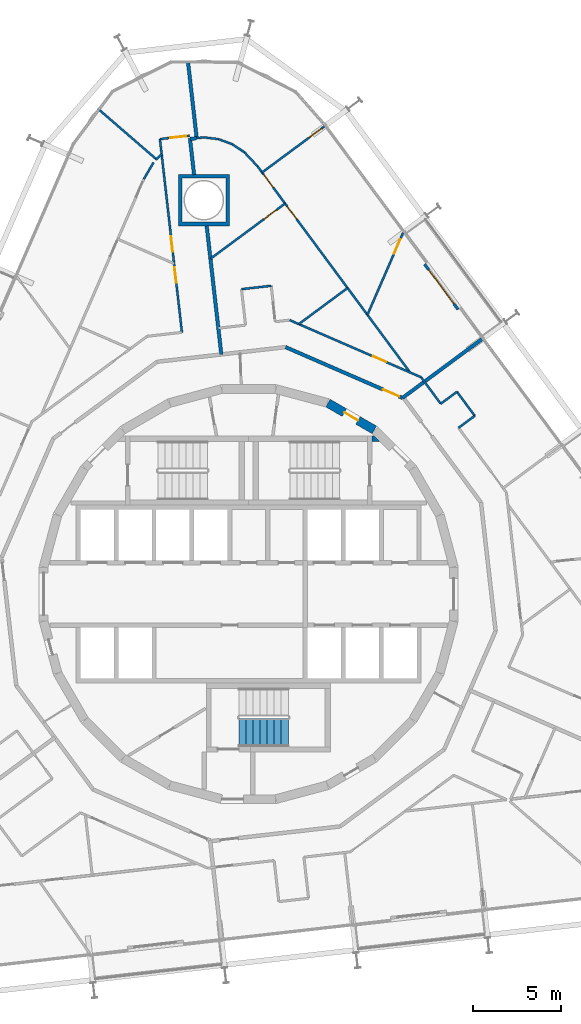
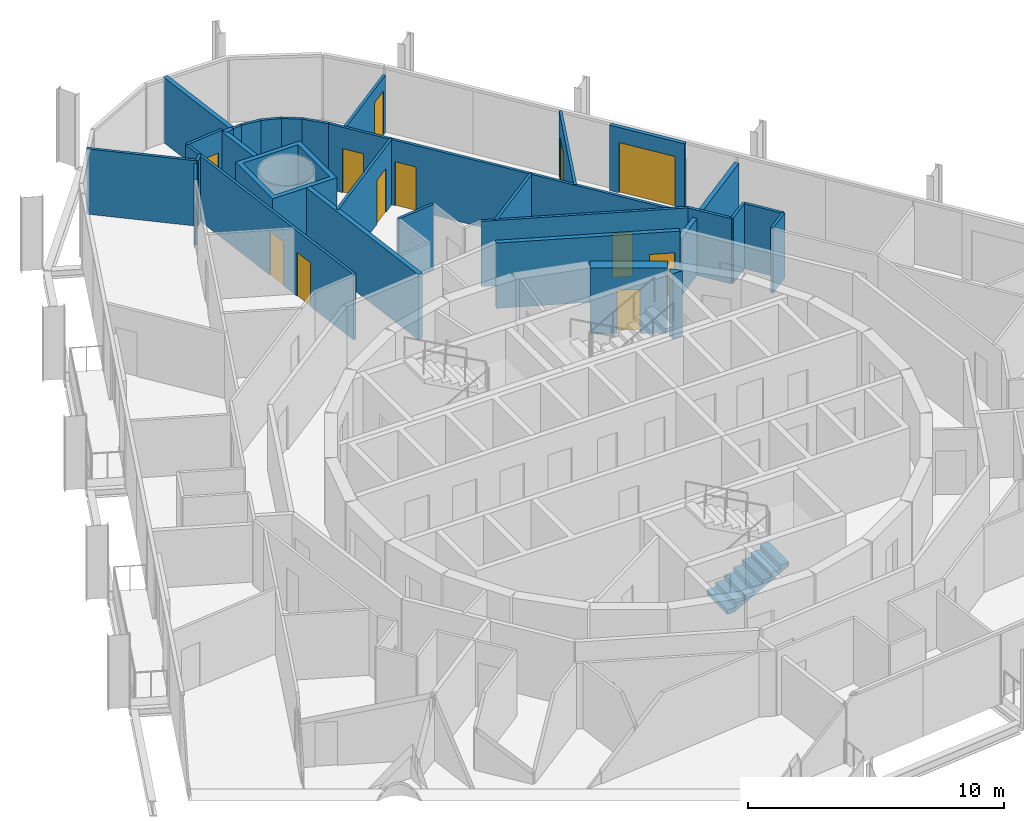
# One storey, part 19 of 21: 31 walls, 12 doors, 1 stair flight, 12 openings, 1 element without a shape of its own.
"""IFC4 building model written with IfcOpenShell, lengths in metres."""

import ifcopenshell
import ifcopenshell.guid

model = None  # the IFC model being written
_history = None  # IfcOwnerHistory: only IFC2X3 demands one
_inside = {}  # id of a spatial element -> (the spatial element, [elements in it])
_under = {}  # id of a project, library or spatial element -> (it, [spatial elements below it])
_declared = {}  # id of a project -> (the project, [libraries it declares])
_typed = {}  # id of a type object -> (the type object, [elements of that type])
_made_of = {}  # id of a material, layer set ... -> (it, [elements and type objects made of it])


def new_model(schema):
    """Start an empty IFC model of exactly this schema.

    Asked for "IFC4X3", IfcOpenShell would pick the latest addendum, in which some entities
    have other attributes; the version numbers below select the first issue.
    IFC2X3 requires an IfcOwnerHistory on every rooted entity: one is made here for all.
    """
    global model, _history
    if schema == "IFC4X3":
        model = ifcopenshell.file(schema_version=(4, 3, 0, 0))
    else:
        model = ifcopenshell.file(schema=schema)
    _inside.clear()
    _under.clear()
    _declared.clear()
    _typed.clear()
    _made_of.clear()
    _history = None
    if model.schema == "IFC2X3":
        org = make("IfcOrganization", Name="unknown")
        user = make(
            "IfcPersonAndOrganization",
            ThePerson=make("IfcPerson", FamilyName="unknown"),
            TheOrganization=org,
        )
        app = make(
            "IfcApplication",
            ApplicationDeveloper=org,
            Version="unknown",
            ApplicationFullName="unknown",
            ApplicationIdentifier="unknown",
        )
        _history = make(
            "IfcOwnerHistory",
            OwningUser=user,
            OwningApplication=app,
            ChangeAction="ADDED",
            CreationDate=0,
        )
    return model


def make(cls, **values):
    """One entity of the class cls with the attributes given. An attribute that is None is left unset."""
    return model.create_entity(
        cls, **{name: value for name, value in values.items() if value is not None}
    )


def rooted(cls, **values):
    """An entity with a GlobalId (a new one), such as an element, a storey or a relation."""
    return make(cls, GlobalId=ifcopenshell.guid.new(), OwnerHistory=_history, **values)


def si_unit(unit_type, name, prefix=None):
    """IfcSIUnit, for example si_unit("LENGTHUNIT", "METRE", prefix="MILLI")."""
    return make("IfcSIUnit", UnitType=unit_type, Prefix=prefix, Name=name)


def assignment(units):
    """IfcUnitAssignment: the units of a project."""
    return None if units is None else make("IfcUnitAssignment", Units=units)


def point(xyz):
    """IfcCartesianPoint."""
    return None if xyz is None else make("IfcCartesianPoint", Coordinates=xyz)


def direction(xyz):
    """IfcDirection."""
    return None if xyz is None else make("IfcDirection", DirectionRatios=xyz)


def frame(location, z_axis=None, x_axis=None):
    """IfcAxis2Placement3D, a coordinate frame: its origin and axes. An axis left out is left unset."""
    return make(
        "IfcAxis2Placement3D",
        Location=point(location),
        Axis=direction(z_axis),
        RefDirection=direction(x_axis),
    )


def frame_2d(location, x_axis=None):
    """IfcAxis2Placement2D, a coordinate frame in the plane: its origin and x axis."""
    return make(
        "IfcAxis2Placement2D", Location=point(location), RefDirection=direction(x_axis)
    )


def origin():
    """The frame at (0, 0, 0) with its axes left unset."""
    return frame((0.0, 0.0, 0.0))


def place(relative_to, where):
    """IfcLocalPlacement: puts the frame where relative to a parent placement (None: the world)."""
    return make(
        "IfcLocalPlacement", PlacementRelTo=relative_to, RelativePlacement=where
    )


def context(
    kind, dimensions, precision=None, world=None, true_north=None, identifier=None
):
    """IfcGeometricRepresentationContext, for example the 3D "Model" context."""
    return make(
        "IfcGeometricRepresentationContext",
        ContextIdentifier=identifier,
        ContextType=kind,
        CoordinateSpaceDimension=dimensions,
        Precision=precision,
        WorldCoordinateSystem=world,
        TrueNorth=true_north,
    )


def subcontext(parent, identifier, kind, view, scale=None):
    """IfcGeometricRepresentationSubContext, for example "Body" below "Model"."""
    return make(
        "IfcGeometricRepresentationSubContext",
        ContextIdentifier=identifier,
        ContextType=kind,
        ParentContext=parent,
        TargetScale=scale,
        TargetView=view,
    )


def project(units=None, contexts=None):
    """IfcProject with its units and contexts."""
    return rooted(
        "IfcProject",
        Name="project",
        RepresentationContexts=contexts,
        UnitsInContext=assignment(units),
    )


def spatial(cls, under=None, at=None, **own):
    """A site, building, storey or space (cls), placed at a placement, below another one or the project."""
    s = rooted(cls, ObjectPlacement=at, **own)
    if under is not None:
        _under.setdefault(under.id(), (under, []))[1].append(s)
    return s


def polyline(points):
    """IfcPolyline through the points."""
    return make("IfcPolyline", Points=[point(p) for p in points])


def profile(cls, at=None, kind="AREA", **sizes):
    """A parametric profile (cls). Its sizes go by their IFC names, for example OverallWidth=200.0."""
    return make(cls, ProfileType=kind, Position=at, **sizes)


def rectangle(**sizes):
    """IfcRectangleProfileDef."""
    return profile("IfcRectangleProfileDef", **sizes)


def outline(outer, holes=None, kind="AREA"):
    """IfcArbitraryClosedProfileDef: a profile drawn as a closed curve; with holes, ...WithVoids."""
    if holes is None:
        return make("IfcArbitraryClosedProfileDef", ProfileType=kind, OuterCurve=outer)
    return make(
        "IfcArbitraryProfileDefWithVoids",
        ProfileType=kind,
        OuterCurve=outer,
        InnerCurves=holes,
    )


def extrude(swept, where, along, depth):
    """IfcExtrudedAreaSolid: the profile swept, set in the frame where, extruded along a direction by depth."""
    return make(
        "IfcExtrudedAreaSolid",
        SweptArea=swept,
        Position=where,
        ExtrudedDirection=direction(along),
        Depth=depth,
    )


def shape(context_of_items, identifier, shape_type, items):
    """IfcShapeRepresentation: the items that make up one representation, for example the "Body"."""
    return make(
        "IfcShapeRepresentation",
        ContextOfItems=context_of_items,
        RepresentationIdentifier=identifier,
        RepresentationType=shape_type,
        Items=items,
    )


def material(Name=None, Category=None):
    """IfcMaterial."""
    return make("IfcMaterial", Name=Name, Category=Category)


def layer(
    of_material, thickness, ventilated=None, Name=None, Category=None, Priority=None
):
    """IfcMaterialLayer: one layer of a wall or slab, of a material (None: an air gap)."""
    return make(
        "IfcMaterialLayer",
        Material=of_material,
        LayerThickness=thickness,
        IsVentilated=ventilated,
        Name=Name,
        Category=Category,
        Priority=Priority,
    )


def layer_set(layers, Name=None):
    """IfcMaterialLayerSet."""
    return make("IfcMaterialLayerSet", MaterialLayers=layers, LayerSetName=Name)


def made_of(thing, what):
    """Note that an element or type object is made of a material, layer set ...; save() writes the relation."""
    if what is not None:
        _made_of.setdefault(what.id(), (what, []))[1].append(thing)
    return thing


def type_object(cls, material=None, **own):
    """A type object (cls), such as IfcWallType, which elements share."""
    return made_of(rooted(cls, **own), material)


def element(
    cls,
    number,
    at=None,
    inside=None,
    cuts=None,
    type_object=None,
    material=None,
    context=None,
    identifier="Body",
    shape_type=None,
    held_by="IfcProductDefinitionShape",
    body=None,
    shapes=None,
    **own,
):
    """One element of the class cls, such as IfcWall. Its Tag is "e" and its number.

    at: its placement. inside: the storey or other place that contains it. cuts: it is an
    opening in that element (IfcRelVoidsElement). A single representation is given by context,
    identifier, shape_type and body (its items); several are given by shapes. held_by: the class
    of the entity that holds the representations. save() writes the other relations.
    """
    e = rooted(cls, Tag="e%d" % number, ObjectPlacement=at, **own)
    if body is not None:
        shapes = [shape(context, identifier, shape_type, body)]
    if shapes is not None:
        e.Representation = make(held_by, Representations=shapes)
    if inside is not None:
        _inside.setdefault(inside.id(), (inside, []))[1].append(e)
    if cuts is not None:
        rooted(
            "IfcRelVoidsElement", RelatingBuildingElement=cuts, RelatedOpeningElement=e
        )
    if type_object is not None:
        _typed.setdefault(type_object.id(), (type_object, []))[1].append(e)
    return made_of(e, material)


def fill(opening, filler):
    """IfcRelFillsElement: the door or window that sits in an opening."""
    return rooted(
        "IfcRelFillsElement",
        RelatingOpeningElement=opening,
        RelatedBuildingElement=filler,
    )


def aggregate(whole, parts):
    """IfcRelAggregates: a whole, such as a stair, and the parts it consists of."""
    return rooted("IfcRelAggregates", RelatingObject=whole, RelatedObjects=parts)


def save(model, path):
    """Write the relations noted so far, then the file.

    IfcRelAggregates (storeys below a building ...), IfcRelContainedInSpatialStructure (elements
    in a storey), IfcRelDefinesByType, IfcRelAssociatesMaterial and IfcRelDeclares: one each for
    every whole, place, type object, material and project.
    """
    for whole, parts in _under.values():
        aggregate(whole, parts)
    for where, things in _inside.values():
        rooted(
            "IfcRelContainedInSpatialStructure",
            RelatedElements=things,
            RelatingStructure=where,
        )
    for kind, things in _typed.values():
        rooted("IfcRelDefinesByType", RelatedObjects=things, RelatingType=kind)
    for what, things in _made_of.values():
        rooted("IfcRelAssociatesMaterial", RelatedObjects=things, RelatingMaterial=what)
    for by, libraries in _declared.values():
        rooted("IfcRelDeclares", RelatingContext=by, RelatedDefinitions=libraries)
    model.write(path)


model = new_model("IFC4")

# Units and contexts
model_context = context("Model", 3, precision=1e-05, world=origin(), true_north=direction((0.0, 1.0)))
body_context = subcontext(model_context, "Body", "Model", "MODEL_VIEW")
ifc_project = project(units=[si_unit("LENGTHUNIT", "METRE"), si_unit("AREAUNIT", "SQUARE_METRE"), si_unit("VOLUMEUNIT", "CUBIC_METRE"), si_unit("PLANEANGLEUNIT", "RADIAN"), si_unit("MASSUNIT", "GRAM", prefix="KILO")], contexts=[model_context])

# Site, building, storey
site_placement = place(None, origin())
site = spatial("IfcSite", under=ifc_project, at=site_placement, CompositionType="ELEMENT")
building_placement = place(site_placement, origin())
building = spatial("IfcBuilding", under=site, at=building_placement, Name="Spindle Arch Residences", CompositionType="ELEMENT")
storey_placement = place(building_placement, frame((0.0, 0.0, 97.699951171875)))
storey = spatial("IfcBuildingStorey", under=building, at=storey_placement, Name="L23", CompositionType="ELEMENT", Elevation=97.699951171875)

# Wall, opening, door
ifc_material_1 = material(Name="Concrete C50/60", Category="concrete")
ifc_layer_1 = layer(ifc_material_1, 0.5)
ifc_layer_set_1 = layer_set([ifc_layer_1], Name="Core outline wall 500")
wall_type_1 = type_object("IfcWallType", Name="Core outline wall 500", PredefinedType="SHEAR", material=ifc_layer_set_1)
wall_1_placement = place(storey_placement, frame((7.13671875, 9.32861328125, 0.0), z_axis=(0.0, 0.0, 1.0), x_axis=(-0.865975092491, 0.500087131594, 0.0)))
wall_1 = element("IfcWall", 1, at=wall_1_placement, inside=storey, type_object=wall_type_1, Name="Core outline wall 10", PredefinedType="SHEAR", context=body_context, shape_type="SweptSolid", body=[
    extrude(rectangle(XDim=3.03271484375, YDim=0.5, at=frame_2d((1.516357421875, 0.0))), origin(), (0.0, 0.0, 1.0), 3.1201171875),
])
opening_1_placement = place(wall_1_placement, frame((1.06640625, 0.0, 0.0)))
opening_1 = element("IfcOpeningElement", 2, at=opening_1_placement, cuts=wall_1, Name="Opening R2C0-WD10", PredefinedType="OPENING", context=body_context, shape_type="SweptSolid", body=[
    extrude(rectangle(XDim=0.89990234375, YDim=2.10009765625, at=frame_2d((0.449951171875, 1.050048828125))), frame((0.0, 0.260009765625, 0.0), z_axis=(0.0, -1.0, 0.0), x_axis=(1.0, 0.0, 0.0)), (0.0, 0.0, 1.0), 0.52001953125),
])
ifc_material_2 = material(Name="Steel, fire-resisting door", Category="steel")
door_type_1 = type_object("IfcDoorType", Name="Service room door 900x2100", OperationType="SINGLE_SWING_LEFT", PredefinedType="DOOR", material=ifc_material_2)
door_1_placement = place(opening_1_placement, origin())
door_1 = element("IfcDoor", 3, at=door_1_placement, inside=storey, type_object=door_type_1, Name="Service room door R2C0-WD10", OperationType="SINGLE_SWING_LEFT", OverallHeight=2.10009765625, OverallWidth=0.89990234375, PredefinedType="DOOR", context=body_context, shape_type="SweptSolid", body=[
    extrude(rectangle(XDim=0.89990234375, YDim=2.10009765625, at=frame_2d((0.449951171875, 1.050048828125))), frame((0.0, 0.02490234375, 0.0), z_axis=(0.0, -1.0, 0.0), x_axis=(1.0, 0.0, 0.0)), (0.0, 0.0, 1.0), 0.050048828125),
])
fill(opening_1, door_1)

ifc_material_3 = material(Name="Calcium silicate block, plastered")
ifc_layer_2 = layer(ifc_material_3, 0.199951171875)
ifc_layer_set_2 = layer_set([ifc_layer_2], Name="Corridor wall 200")
wall_type_2 = type_object("IfcWallType", Name="Corridor wall 200", PredefinedType="STANDARD", material=ifc_layer_set_2)
wall_2_placement = place(storey_placement, frame((8.735595703125, 11.140625, 0.0), z_axis=(0.0, 0.0, 1.0), x_axis=(-0.917051290697, 0.398769269416, 0.0)))
wall_2 = element("IfcWall", 4, at=wall_2_placement, inside=storey, type_object=wall_type_2, Name="Corridor wall R2C0-W007", PredefinedType="STANDARD", context=body_context, shape_type="SweptSolid", body=[
    extrude(rectangle(XDim=7.23974609375, YDim=0.199951171875, at=frame_2d((3.619873046875, 0.0))), origin(), (0.0, 0.0, 1.0), 3.1201171875),
])
opening_2_placement = place(wall_2_placement, frame((0.199951171875, 0.0, 0.0)))
opening_2 = element("IfcOpeningElement", 5, at=opening_2_placement, cuts=wall_2, Name="Opening R2C0-FD02", PredefinedType="OPENING", context=body_context, shape_type="SweptSolid", body=[
    extrude(rectangle(XDim=1.0, YDim=2.10009765625, at=frame_2d((0.5, 1.050048828125))), frame((0.0, 0.10986328125, 0.0), z_axis=(0.0, -1.0, 0.0), x_axis=(1.0, 0.0, 0.0)), (0.0, 0.0, 1.0), 0.219970703125),
])
ifc_material_4 = material(Name="Timber, fire-resisting door set", Category="wood")
door_type_2 = type_object("IfcDoorType", Name="Flat entrance door 1000x2100", OperationType="NOTDEFINED", PredefinedType="DOOR", material=ifc_material_4)
door_2_placement = place(opening_2_placement, origin())
door_2 = element("IfcDoor", 6, at=door_2_placement, inside=storey, type_object=door_type_2, Name="Flat entrance door R2C0-FD02", OperationType="SINGLE_SWING_RIGHT", OverallHeight=2.10009765625, OverallWidth=1.0, PredefinedType="DOOR", context=body_context, shape_type="SweptSolid", body=[
    extrude(rectangle(XDim=1.0, YDim=2.10009765625, at=frame_2d((0.5, 1.050048828125))), frame((0.0, 0.02490234375, 0.0), z_axis=(0.0, -1.0, 0.0), x_axis=(1.0, 0.0, 0.0)), (0.0, 0.0, 1.0), 0.050048828125),
])
fill(opening_2, door_2)

# Walls
ifc_material_5 = material(Name="Plasterboard on steel studs", Category="steel")
ifc_layer_3 = layer(ifc_material_5, 0.1201171875)
ifc_layer_set_3 = layer_set([ifc_layer_3], Name="Flat partition 120")
wall_type_3 = type_object("IfcWallType", Name="Flat partition 120", PredefinedType="PARTITIONING", material=ifc_layer_set_3)
wall_3_placement = place(storey_placement, frame((11.9208984375, 9.44384765625, 0.0), z_axis=(0.0, 0.0, 1.0), x_axis=(0.803768532163, 0.594942137274, 0.0)))
element("IfcWall", 7, at=wall_3_placement, inside=storey, type_object=wall_type_3, Name="Flat partition R2C0-W031", PredefinedType="PARTITIONING", context=body_context, shape_type="SweptSolid", body=[
    extrude(rectangle(XDim=1.145751953125, YDim=0.1201171875, at=frame_2d((0.57275390625, 0.0))), origin(), (0.0, 0.0, 1.0), 3.1201171875),
])
wall_4_placement = place(storey_placement, frame((12.841796875, 10.12548828125, 0.0), z_axis=(0.0, 0.0, 1.0), x_axis=(-0.594770612735, 0.803895464738, 0.0)))
element("IfcWall", 8, at=wall_4_placement, inside=storey, type_object=wall_type_3, Name="Flat partition R2C0-W032", PredefinedType="PARTITIONING", context=body_context, shape_type="SweptSolid", body=[
    extrude(rectangle(XDim=1.69970703125, YDim=0.1201171875, at=frame_2d((0.849853515625, 0.0))), origin(), (0.0, 0.0, 1.0), 3.1201171875),
])
wall_5_placement = place(storey_placement, frame((11.830810546875, 11.491943359375, 0.0), z_axis=(0.0, 0.0, 1.0), x_axis=(-0.803843936653, -0.59484025209, 0.0)))
element("IfcWall", 9, at=wall_5_placement, inside=storey, type_object=wall_type_3, Name="Flat partition R2C0-W033", PredefinedType="PARTITIONING", context=body_context, shape_type="SweptSolid", body=[
    extrude(rectangle(XDim=1.14599609375, YDim=0.1201171875, at=frame_2d((0.572998046875, 0.0))), origin(), (0.0, 0.0, 1.0), 3.1201171875),
])
wall_6_placement = place(storey_placement, frame((10.90966796875, 10.810302734375, 0.0), z_axis=(0.0, 0.0, 1.0), x_axis=(-0.59489693125, 0.803801991282, 0.0)))
element("IfcWall", 10, at=wall_6_placement, inside=storey, type_object=wall_type_3, Name="Flat partition R2C0-W034", PredefinedType="PARTITIONING", context=body_context, shape_type="SweptSolid", body=[
    extrude(rectangle(XDim=1.872314453125, YDim=0.1201171875, at=frame_2d((0.93603515625, 0.0))), origin(), (0.0, 0.0, 1.0), 3.1201171875),
])

# Wall, opening, door
wall_7_placement = place(storey_placement, frame((9.7958984375, 12.315185546875, 0.0), z_axis=(0.0, 0.0, 1.0), x_axis=(-0.917059572812, 0.398750222463, 0.0)))
wall_7 = element("IfcWall", 11, at=wall_7_placement, inside=storey, type_object=wall_type_3, Name="Flat partition R2C0-W050", PredefinedType="PARTITIONING", context=body_context, shape_type="SweptSolid", body=[
    extrude(rectangle(XDim=8.1455078125, YDim=0.1201171875, at=frame_2d((4.07275390625, 0.0))), origin(), (0.0, 0.0, 1.0), 3.1201171875),
])
opening_3_placement = place(wall_7_placement, frame((2.184814453125, 0.0, 0.0)))
opening_3 = element("IfcOpeningElement", 12, at=opening_3_placement, cuts=wall_7, Name="Opening R2C0-BD02", PredefinedType="OPENING", context=body_context, shape_type="SweptSolid", body=[
    extrude(rectangle(XDim=0.800048828125, YDim=2.10009765625, at=frame_2d((0.39990234375, 1.050048828125))), frame((0.0, 0.070068359375, 0.0), z_axis=(0.0, -1.0, 0.0), x_axis=(1.0, 0.0, 0.0)), (0.0, 0.0, 1.0), 0.14013671875),
])
ifc_material_6 = material(Name="Timber door set", Category="wood")
door_type_3 = type_object("IfcDoorType", Name="Bathroom door 800x2100", OperationType="NOTDEFINED", PredefinedType="DOOR", material=ifc_material_6)
door_3_placement = place(opening_3_placement, origin())
door_3 = element("IfcDoor", 13, at=door_3_placement, inside=storey, type_object=door_type_3, Name="Bathroom door R2C0-BD02", OperationType="SINGLE_SWING_RIGHT", OverallHeight=2.10009765625, OverallWidth=0.800048828125, PredefinedType="DOOR", context=body_context, shape_type="SweptSolid", body=[
    extrude(rectangle(XDim=0.800048828125, YDim=2.10009765625, at=frame_2d((0.39990234375, 1.050048828125))), frame((0.0, 0.02490234375, 0.0), z_axis=(0.0, -1.0, 0.0), x_axis=(1.0, 0.0, 0.0)), (0.0, 0.0, 1.0), 0.050048828125),
])
fill(opening_3, door_3)

# Wall
wall_8_placement = place(storey_placement, frame((1.28125, 17.510986328125, 0.0), z_axis=(0.0, 0.0, 1.0), x_axis=(-0.993575191649, -0.113173930474, 0.0)))
element("IfcWall", 14, at=wall_8_placement, inside=storey, type_object=wall_type_3, Name="Flat partition R2C0-W053", PredefinedType="PARTITIONING", context=body_context, shape_type="SweptSolid", body=[
    extrude(rectangle(XDim=1.699951171875, YDim=0.1201171875, at=frame_2d((0.85009765625, 0.0))), origin(), (0.0, 0.0, 1.0), 3.1201171875),
])

# Wall, openings, doors
wall_9_placement = place(storey_placement, frame((0.49755859375, 24.3056640625, 0.0), z_axis=(0.0, 0.0, 1.0), x_axis=(0.594826122019, -0.803854392639, 0.0)))
wall_9 = element("IfcWall", 15, at=wall_9_placement, inside=storey, type_object=wall_type_3, Name="Flat partition R2C0-W056", PredefinedType="PARTITIONING", context=body_context, shape_type="SweptSolid", body=[
    extrude(rectangle(XDim=14.576416015625, YDim=0.1201171875, at=frame_2d((7.2880859375, 0.0))), origin(), (0.0, 0.0, 1.0), 3.1201171875),
])
opening_4_placement = place(wall_9_placement, frame((2.840576171875, 0.0, 0.0)))
opening_4 = element("IfcOpeningElement", 16, at=opening_4_placement, cuts=wall_9, Name="Opening R2C0-ID09", PredefinedType="OPENING", context=body_context, shape_type="SweptSolid", body=[
    extrude(rectangle(XDim=0.89990234375, YDim=2.10009765625, at=frame_2d((0.449951171875, 1.050048828125))), frame((0.0, 0.070068359375, 0.0), z_axis=(0.0, -1.0, 0.0), x_axis=(1.0, 0.0, 0.0)), (0.0, 0.0, 1.0), 0.14013671875),
])
opening_5_placement = place(wall_9_placement, frame((0.605224609375, 0.0, 0.0)))
opening_5 = element("IfcOpeningElement", 17, at=opening_5_placement, cuts=wall_9, Name="Opening R2C0-ID13", PredefinedType="OPENING", context=body_context, shape_type="SweptSolid", body=[
    extrude(rectangle(XDim=0.89990234375, YDim=2.10009765625, at=frame_2d((0.449951171875, 1.050048828125))), frame((0.0, 0.070068359375, 0.0), z_axis=(0.0, -1.0, 0.0), x_axis=(1.0, 0.0, 0.0)), (0.0, 0.0, 1.0), 0.14013671875),
])
ifc_material_7 = material(Name="Timber door set", Category="wood")
door_type_4 = type_object("IfcDoorType", Name="Room door 900x2100", OperationType="NOTDEFINED", PredefinedType="DOOR", material=ifc_material_7)
door_4_placement = place(opening_4_placement, origin())
door_4 = element("IfcDoor", 18, at=door_4_placement, inside=storey, type_object=door_type_4, Name="Room door R2C0-ID09", OperationType="SINGLE_SWING_RIGHT", OverallHeight=2.10009765625, OverallWidth=0.89990234375, PredefinedType="DOOR", context=body_context, shape_type="SweptSolid", body=[
    extrude(rectangle(XDim=0.89990234375, YDim=2.10009765625, at=frame_2d((0.449951171875, 1.050048828125))), frame((0.0, 0.02490234375, 0.0), z_axis=(0.0, -1.0, 0.0), x_axis=(1.0, 0.0, 0.0)), (0.0, 0.0, 1.0), 0.050048828125),
])
fill(opening_4, door_4)
door_5_placement = place(opening_5_placement, origin())
door_5 = element("IfcDoor", 19, at=door_5_placement, inside=storey, type_object=door_type_4, Name="Room door R2C0-ID13", OperationType="SINGLE_SWING_LEFT", OverallHeight=2.10009765625, OverallWidth=0.89990234375, PredefinedType="DOOR", context=body_context, shape_type="SweptSolid", body=[
    extrude(rectangle(XDim=0.89990234375, YDim=2.10009765625, at=frame_2d((0.449951171875, 1.050048828125))), frame((0.0, 0.02490234375, 0.0), z_axis=(0.0, -1.0, 0.0), x_axis=(1.0, 0.0, 0.0)), (0.0, 0.0, 1.0), 0.050048828125),
])
fill(opening_5, door_5)

# Wall, opening, door
wall_10_placement = place(storey_placement, frame((8.771728515625, 20.52099609375, 0.0), z_axis=(0.0, 0.0, 1.0), x_axis=(-0.398733139635, -0.917067000473, 0.0)))
wall_10 = element("IfcWall", 20, at=wall_10_placement, inside=storey, type_object=wall_type_3, Name="Flat partition R2C0-W057", PredefinedType="PARTITIONING", context=body_context, shape_type="SweptSolid", body=[
    extrude(rectangle(XDim=5.080810546875, YDim=0.1201171875, at=frame_2d((2.54052734375, 0.0))), origin(), (0.0, 0.0, 1.0), 3.1201171875),
])
opening_6_placement = place(wall_10_placement, frame((0.39990234375, 0.0, 0.0)))
opening_6 = element("IfcOpeningElement", 21, at=opening_6_placement, cuts=wall_10, Name="Opening R2C0-ID11", PredefinedType="OPENING", context=body_context, shape_type="SweptSolid", body=[
    extrude(rectangle(XDim=0.89990234375, YDim=2.10009765625, at=frame_2d((0.449951171875, 1.050048828125))), frame((0.0, 0.070068359375, 0.0), z_axis=(0.0, -1.0, 0.0), x_axis=(1.0, 0.0, 0.0)), (0.0, 0.0, 1.0), 0.14013671875),
])
door_6_placement = place(opening_6_placement, origin())
door_6 = element("IfcDoor", 22, at=door_6_placement, inside=storey, type_object=door_type_4, Name="Room door R2C0-ID11", OperationType="SINGLE_SWING_LEFT", OverallHeight=2.10009765625, OverallWidth=0.89990234375, PredefinedType="DOOR", context=body_context, shape_type="SweptSolid", body=[
    extrude(rectangle(XDim=0.89990234375, YDim=2.10009765625, at=frame_2d((0.449951171875, 1.050048828125))), frame((0.0, 0.02490234375, 0.0), z_axis=(0.0, -1.0, 0.0), x_axis=(1.0, 0.0, 0.0)), (0.0, 0.0, 1.0), 0.050048828125),
])
fill(opening_6, door_6)

# Wall
wall_11_placement = place(storey_placement, frame((5.6181640625, 17.3857421875, 0.0), z_axis=(0.0, 0.0, 1.0), x_axis=(-0.803852063114, -0.59482927015, 0.0)))
element("IfcWall", 23, at=wall_11_placement, inside=storey, type_object=wall_type_3, Name="Flat partition R2C0-W058", PredefinedType="PARTITIONING", context=body_context, shape_type="SweptSolid", body=[
    extrude(rectangle(XDim=3.445556640625, YDim=0.1201171875, at=frame_2d((1.72265625, 0.0))), origin(), (0.0, 0.0, 1.0), 3.1201171875),
])

# Wall, opening, door
wall_12_placement = place(storey_placement, frame((2.068359375, 22.182861328125, 0.0), z_axis=(0.0, 0.0, 1.0), x_axis=(-0.803867138365, -0.594808896921, 0.0)))
wall_12 = element("IfcWall", 24, at=wall_12_placement, inside=storey, type_object=wall_type_3, Name="Flat partition R2C0-W060", PredefinedType="PARTITIONING", context=body_context, shape_type="SweptSolid", body=[
    extrude(rectangle(XDim=5.272705078125, YDim=0.1201171875, at=frame_2d((2.63623046875, 0.0))), origin(), (0.0, 0.0, 1.0), 3.1201171875),
])
opening_7_placement = place(wall_12_placement, frame((0.60009765625, 0.0, 0.0)))
opening_7 = element("IfcOpeningElement", 25, at=opening_7_placement, cuts=wall_12, Name="Opening R2C0-ID10", PredefinedType="OPENING", context=body_context, shape_type="SweptSolid", body=[
    extrude(rectangle(XDim=0.89990234375, YDim=2.10009765625, at=frame_2d((0.449951171875, 1.050048828125))), frame((0.0, 0.070068359375, 0.0), z_axis=(0.0, -1.0, 0.0), x_axis=(1.0, 0.0, 0.0)), (0.0, 0.0, 1.0), 0.14013671875),
])
door_7_placement = place(opening_7_placement, origin())
door_7 = element("IfcDoor", 26, at=door_7_placement, inside=storey, type_object=door_type_4, Name="Room door R2C0-ID10", OperationType="SINGLE_SWING_RIGHT", OverallHeight=2.10009765625, OverallWidth=0.89990234375, PredefinedType="DOOR", context=body_context, shape_type="SweptSolid", body=[
    extrude(rectangle(XDim=0.89990234375, YDim=2.10009765625, at=frame_2d((0.449951171875, 1.050048828125))), frame((0.0, 0.02490234375, 0.0), z_axis=(0.0, -1.0, 0.0), x_axis=(1.0, 0.0, 0.0)), (0.0, 0.0, 1.0), 0.050048828125),
])
fill(opening_7, door_7)

# Walls
wall_13_placement = place(storey_placement, frame((-2.9501953125, 25.893310546875, 0.0), z_axis=(0.0, 0.0, 1.0), x_axis=(0.993519378224, 0.113662857141, 0.0)))
element("IfcWall", 27, at=wall_13_placement, inside=storey, type_object=wall_type_3, Name="Flat partition R2C0-W061", PredefinedType="PARTITIONING", context=body_context, shape_type="SweptSolid", body=[
    extrude(rectangle(XDim=0.41455078125, YDim=0.1201171875, at=frame_2d((0.207275390625, 0.0))), origin(), (0.0, 0.0, 1.0), 3.1201171875),
])
for number, where, z_axis, x_axis, name in (
    (28, (-2.538330078125, 25.9404296875, 0.0), (0.0, 0.0, 1.0), (0.992894945409, -0.118994232556, 0.0), "Flat partition R2C0-W062"),
    (29, (-1.71533203125, 25.841796875, 0.0), (0.0, 0.0, 1.0), (0.938644465852, -0.344886309856, 0.0), "Flat partition R2C0-W063"),
    (30, (-0.937255859375, 25.555908203125, 0.0), (0.0, 0.0, 1.0), (0.833858440069, -0.551978352769, 0.0), "Flat partition R2C0-W064"),
):
    element("IfcWall", number, at=place(storey_placement, frame(where, z_axis=z_axis, x_axis=x_axis)), inside=storey, type_object=wall_type_3, Name=name, PredefinedType="PARTITIONING", context=body_context, shape_type="SweptSolid", body=[
        extrude(rectangle(XDim=0.828857421875, YDim=0.1201171875, at=frame_2d((0.41455078125, 0.0))), origin(), (0.0, 0.0, 1.0), 3.1201171875),
    ])
wall_14_placement = place(storey_placement, frame((-0.24609375, 25.098388671875, 0.0), z_axis=(0.0, 0.0, 1.0), x_axis=(0.684172712488, -0.729320025426, 0.0)))
element("IfcWall", 31, at=wall_14_placement, inside=storey, type_object=wall_type_3, Name="Flat partition R2C0-W065", PredefinedType="PARTITIONING", context=body_context, shape_type="SweptSolid", body=[
    extrude(rectangle(XDim=1.0869140625, YDim=0.1201171875, at=frame_2d((0.54345703125, 0.0))), origin(), (0.0, 0.0, 1.0), 3.1201171875),
])

# Wall, opening, door
wall_15_placement = place(storey_placement, frame((-3.351318359375, 26.035888671875, 0.0), z_axis=(0.0, 0.0, 1.0), x_axis=(-0.993575191649, -0.113173930474, 0.0)))
wall_15 = element("IfcWall", 32, at=wall_15_placement, inside=storey, type_object=wall_type_3, Name="Flat partition R2C0-W066", PredefinedType="PARTITIONING", context=body_context, shape_type="SweptSolid", body=[
    extrude(rectangle(XDim=1.699951171875, YDim=0.1201171875, at=frame_2d((0.85009765625, 0.0))), origin(), (0.0, 0.0, 1.0), 3.1201171875),
])
opening_8_placement = place(wall_15_placement, frame((0.199951171875, 0.0, 0.0)))
opening_8 = element("IfcOpeningElement", 33, at=opening_8_placement, cuts=wall_15, Name="Opening R2C0-ID14", PredefinedType="OPENING", context=body_context, shape_type="SweptSolid", body=[
    extrude(rectangle(XDim=0.89990234375, YDim=2.10009765625, at=frame_2d((0.449951171875, 1.050048828125))), frame((0.0, 0.070068359375, 0.0), z_axis=(0.0, -1.0, 0.0), x_axis=(1.0, 0.0, 0.0)), (0.0, 0.0, 1.0), 0.14013671875),
])
door_8_placement = place(opening_8_placement, origin())
door_8 = element("IfcDoor", 34, at=door_8_placement, inside=storey, type_object=door_type_4, Name="Room door R2C0-ID14", OperationType="SINGLE_SWING_RIGHT", OverallHeight=2.10009765625, OverallWidth=0.89990234375, PredefinedType="DOOR", context=body_context, shape_type="SweptSolid", body=[
    extrude(rectangle(XDim=0.89990234375, YDim=2.10009765625, at=frame_2d((0.449951171875, 1.050048828125))), frame((0.0, 0.02490234375, 0.0), z_axis=(0.0, -1.0, 0.0), x_axis=(1.0, 0.0, 0.0)), (0.0, 0.0, 1.0), 0.050048828125),
])
fill(opening_8, door_8)

# Wall, openings, doors
wall_16_placement = place(storey_placement, frame((-5.040283203125, 25.843505859375, 0.0), z_axis=(0.0, 0.0, 1.0), x_axis=(0.1132106553, -0.993571007793, 0.0)))
wall_16 = element("IfcWall", 35, at=wall_16_placement, inside=storey, type_object=wall_type_3, Name="Flat partition R2C0-W067", PredefinedType="PARTITIONING", context=body_context, shape_type="SweptSolid", body=[
    extrude(rectangle(XDim=11.0478515625, YDim=0.1201171875, at=frame_2d((5.52392578125, 0.0))), origin(), (0.0, 0.0, 1.0), 3.1201171875),
])
opening_9_placement = place(wall_16_placement, frame((5.55126953125, 0.0, 0.0)))
opening_9 = element("IfcOpeningElement", 36, at=opening_9_placement, cuts=wall_16, Name="Opening R2C0-ID15", PredefinedType="OPENING", context=body_context, shape_type="SweptSolid", body=[
    extrude(rectangle(XDim=0.89990234375, YDim=2.10009765625, at=frame_2d((0.449951171875, 1.050048828125))), frame((0.0, 0.070068359375, 0.0), z_axis=(0.0, -1.0, 0.0), x_axis=(1.0, 0.0, 0.0)), (0.0, 0.0, 1.0), 0.14013671875),
])
opening_10_placement = place(wall_16_placement, frame((7.320068359375, 0.0, 0.0)))
opening_10 = element("IfcOpeningElement", 37, at=opening_10_placement, cuts=wall_16, Name="Opening R2C0-ID16", PredefinedType="OPENING", context=body_context, shape_type="SweptSolid", body=[
    extrude(rectangle(XDim=0.89990234375, YDim=2.10009765625, at=frame_2d((0.449951171875, 1.050048828125))), frame((0.0, 0.070068359375, 0.0), z_axis=(0.0, -1.0, 0.0), x_axis=(1.0, 0.0, 0.0)), (0.0, 0.0, 1.0), 0.14013671875),
])
door_9_placement = place(opening_9_placement, origin())
door_9 = element("IfcDoor", 38, at=door_9_placement, inside=storey, type_object=door_type_4, Name="Room door R2C0-ID15", OperationType="SINGLE_SWING_LEFT", OverallHeight=2.10009765625, OverallWidth=0.89990234375, PredefinedType="DOOR", context=body_context, shape_type="SweptSolid", body=[
    extrude(rectangle(XDim=0.89990234375, YDim=2.10009765625, at=frame_2d((0.449951171875, 1.050048828125))), frame((0.0, 0.02490234375, 0.0), z_axis=(0.0, -1.0, 0.0), x_axis=(1.0, 0.0, 0.0)), (0.0, 0.0, 1.0), 0.050048828125),
])
fill(opening_9, door_9)
door_10_placement = place(opening_10_placement, origin())
door_10 = element("IfcDoor", 39, at=door_10_placement, inside=storey, type_object=door_type_4, Name="Room door R2C0-ID16", OperationType="SINGLE_SWING_LEFT", OverallHeight=2.10009765625, OverallWidth=0.89990234375, PredefinedType="DOOR", context=body_context, shape_type="SweptSolid", body=[
    extrude(rectangle(XDim=0.89990234375, YDim=2.10009765625, at=frame_2d((0.449951171875, 1.050048828125))), frame((0.0, 0.02490234375, 0.0), z_axis=(0.0, -1.0, 0.0), x_axis=(1.0, 0.0, 0.0)), (0.0, 0.0, 1.0), 0.050048828125),
])
fill(opening_10, door_10)

# Walls
wall_17_placement = place(storey_placement, frame((-5.261474609375, 24.662841796875, 0.0), z_axis=(0.0, 0.0, 1.0), x_axis=(0.688346106747, 0.725382407648, 0.0)))
element("IfcWall", 40, at=wall_17_placement, inside=storey, type_object=wall_type_3, Name="Flat partition R2C0-W075", PredefinedType="PARTITIONING", context=body_context, shape_type="SweptSolid", body=[
    extrude(rectangle(XDim=0.46142578125, YDim=0.1201171875, at=frame_2d((0.230712890625, 0.0))), origin(), (0.0, 0.0, 1.0), 3.1201171875),
])
wall_18_placement = place(storey_placement, frame((-8.56591796875, 27.57275390625, 0.0), z_axis=(0.0, 0.0, 1.0), x_axis=(0.756463964606, -0.654035373854, 0.0)))
element("IfcWall", 41, at=wall_18_placement, inside=storey, type_object=wall_type_3, Name="Flat partition R2C0-W076", PredefinedType="PARTITIONING", context=body_context, shape_type="SweptSolid", body=[
    extrude(rectangle(XDim=4.40478515625, YDim=0.1201171875, at=frame_2d((2.202392578125, 0.0))), origin(), (0.0, 0.0, 1.0), 3.1201171875),
])
wall_19_placement = place(storey_placement, frame((-5.40625, 24.510498046875, 0.0), z_axis=(0.0, 0.0, 1.0), x_axis=(-0.502487709822, -0.864584351858, 0.0)))
element("IfcWall", 42, at=wall_19_placement, inside=storey, type_object=wall_type_3, Name="Flat partition R2C0-W078", PredefinedType="PARTITIONING", context=body_context, shape_type="SweptSolid", body=[
    extrude(rectangle(XDim=1.0869140625, YDim=0.1201171875, at=frame_2d((0.54345703125, 0.0))), origin(), (0.0, 0.0, 1.0), 3.1201171875),
])

# Wall, opening, door
ifc_material_8 = material(Name="Plasterboard on steel studs", Category="steel")
ifc_layer_4 = layer(ifc_material_8, 0.1201171875)
ifc_layer_set_4 = layer_set([ifc_layer_4], Name="Flat partition 120 under beam 2730")
wall_type_4 = type_object("IfcWallType", Name="Flat partition 120 under beam 2730", PredefinedType="PARTITIONING", material=ifc_layer_set_4)
wall_20_placement = place(storey_placement, frame((4.29931640625, 26.56494140625, 0.0), z_axis=(0.0, 0.0, 1.0), x_axis=(-0.803851981262, -0.594829380764, 0.0)))
wall_20 = element("IfcWall", 43, at=wall_20_placement, inside=storey, type_object=wall_type_4, Name="Flat partition R2C0-W059", PredefinedType="PARTITIONING", context=body_context, shape_type="SweptSolid", body=[
    extrude(rectangle(XDim=4.39990234375, YDim=0.1201171875, at=frame_2d((2.199951171875, 0.0))), origin(), (0.0, 0.0, 1.0), 2.72998046875),
])
opening_11_placement = place(wall_20_placement, frame((0.199951171875, 0.0, 0.0)))
opening_11 = element("IfcOpeningElement", 44, at=opening_11_placement, cuts=wall_20, Name="Opening R2C0-ID12", PredefinedType="OPENING", context=body_context, shape_type="SweptSolid", body=[
    extrude(rectangle(XDim=0.89990234375, YDim=2.10009765625, at=frame_2d((0.449951171875, 1.050048828125))), frame((0.0, 0.070068359375, 0.0), z_axis=(0.0, -1.0, 0.0), x_axis=(1.0, 0.0, 0.0)), (0.0, 0.0, 1.0), 0.14013671875),
])
door_11_placement = place(opening_11_placement, origin())
door_11 = element("IfcDoor", 45, at=door_11_placement, inside=storey, type_object=door_type_4, Name="Room door R2C0-ID12", OperationType="SINGLE_SWING_RIGHT", OverallHeight=2.10009765625, OverallWidth=0.89990234375, PredefinedType="DOOR", context=body_context, shape_type="SweptSolid", body=[
    extrude(rectangle(XDim=0.89990234375, YDim=2.10009765625, at=frame_2d((0.449951171875, 1.050048828125))), frame((0.0, 0.02490234375, 0.0), z_axis=(0.0, -1.0, 0.0), x_axis=(1.0, 0.0, 0.0)), (0.0, 0.0, 1.0), 0.050048828125),
])
fill(opening_11, door_11)

# Walls
ifc_material_9 = material(Name="Calcium silicate block, plastered")
ifc_layer_5 = layer(ifc_material_9, 0.199951171875)
ifc_layer_set_5 = layer_set([ifc_layer_5], Name="Flat party wall 200")
wall_type_5 = type_object("IfcWallType", Name="Flat party wall 200", PredefinedType="STANDARD", material=ifc_layer_set_5)
wall_21_placement = place(storey_placement, frame((-2.384521484375, 20.92041015625, 0.0), z_axis=(0.0, 0.0, 1.0), x_axis=(0.113177776247, -0.993574753586, 0.0)))
element("IfcWall", 46, at=wall_21_placement, inside=storey, type_object=wall_type_5, Name="Flat party wall R2C0-W020", PredefinedType="STANDARD", context=body_context, shape_type="SweptSolid", body=[
    extrude(rectangle(XDim=7.35595703125, YDim=0.199951171875, at=frame_2d((3.677978515625, 0.0))), origin(), (0.0, 0.0, 1.0), 3.1201171875),
])
wall_22_placement = place(storey_placement, frame((-3.4482421875, 30.26513671875, 0.0), z_axis=(0.0, 0.0, 1.0), x_axis=(0.113189797494, -0.993573384176, 0.0)))
element("IfcWall", 47, at=wall_22_placement, inside=storey, type_object=wall_type_5, Name="Flat party wall R2C0-W021", PredefinedType="STANDARD", context=body_context, shape_type="SweptSolid", body=[
    extrude(rectangle(XDim=4.400146484375, YDim=0.199951171875, at=frame_2d((2.2001953125, 0.0))), origin(), (0.0, 0.0, 1.0), 3.1201171875),
])
wall_23_placement = place(storey_placement, frame((-3.333251953125, 25.878662109375, 0.0), z_axis=(0.0, 0.0, 1.0), x_axis=(0.113250782095, -0.993566434797, 0.0)))
element("IfcWall", 48, at=wall_23_placement, inside=storey, type_object=wall_type_5, Name="Flat party wall R2C0-W022", PredefinedType="STANDARD", context=body_context, shape_type="SweptSolid", body=[
    extrude(rectangle(XDim=2.07177734375, YDim=0.199951171875, at=frame_2d((1.035888671875, 0.0))), origin(), (0.0, 0.0, 1.0), 3.1201171875),
])
wall_24_placement = place(storey_placement, frame((-2.960205078125, 25.892333984375, 0.0), z_axis=(0.0, 0.0, 1.0), x_axis=(-0.993567388358, -0.113242416041, 0.0)))
element("IfcWall", 49, at=wall_24_placement, inside=storey, type_object=wall_type_5, Name="Flat party wall R2C0-W023", PredefinedType="STANDARD", context=body_context, shape_type="SweptSolid", body=[
    extrude(rectangle(XDim=0.3623046875, YDim=0.199951171875, at=frame_2d((0.18115234375, 0.0))), origin(), (0.0, 0.0, 1.0), 3.1201171875),
])
ifc_material_10 = material(Name="Calcium silicate block, plastered")
ifc_layer_6 = layer(ifc_material_10, 0.199951171875)
ifc_layer_set_6 = layer_set([ifc_layer_6], Name="Flat party wall 200 under beam 2730")
wall_type_6 = type_object("IfcWallType", Name="Flat party wall 200 under beam 2730", PredefinedType="STANDARD", material=ifc_layer_set_6)
wall_25_placement = place(storey_placement, frame((13.244140625, 14.476806640625, 0.0), z_axis=(0.0, 0.0, 1.0), x_axis=(-0.803853971109, -0.594826691677, 0.0)))
element("IfcWall", 50, at=wall_25_placement, inside=storey, type_object=wall_type_6, Name="Flat party wall R2C0-W016", PredefinedType="STANDARD", context=body_context, shape_type="SweptSolid", body=[
    extrude(rectangle(XDim=5.608642578125, YDim=0.199951171875, at=frame_2d((2.80419921875, 0.0))), origin(), (0.0, 0.0, 1.0), 2.72998046875),
])

# Wall, opening, door
ifc_material_11 = material(Name="Non-combustible mineral wool insulated aluminium faced external wall (K0)", Category="aluminium")
ifc_layer_7 = layer(ifc_material_11, 0.159912109375)
ifc_layer_set_7 = layer_set([ifc_layer_7], Name="Insulated external wall panel 160")
wall_type_7 = type_object("IfcWallType", Name="Insulated external wall panel 160", PredefinedType="STANDARD", material=ifc_layer_set_7)
wall_26_placement = place(storey_placement, frame((11.895263671875, 16.1650390625, 0.0), z_axis=(0.0, 0.0, 1.0), x_axis=(-0.594774973163, 0.803892238611, 0.0)))
wall_26 = element("IfcWall", 51, at=wall_26_placement, inside=storey, type_object=wall_type_7, Name="External wall L23 bay 9", PredefinedType="STANDARD", context=body_context, shape_type="SweptSolid", body=[
    extrude(rectangle(XDim=3.199951171875, YDim=0.159912109375, at=frame_2d((1.60009765625, 0.0))), origin(), (0.0, 0.0, 1.0), 3.1201171875),
])
opening_12_placement = place(wall_26_placement, frame((0.39990234375, 0.0, 0.0)))
opening_12 = element("IfcOpeningElement", 52, at=opening_12_placement, cuts=wall_26, Name="Opening BD09", PredefinedType="OPENING", context=body_context, shape_type="SweptSolid", body=[
    extrude(rectangle(XDim=2.39990234375, YDim=2.39990234375, at=frame_2d((1.199951171875, 1.199951171875))), frame((0.0, 0.08984375, 0.0), z_axis=(0.0, -1.0, 0.0), x_axis=(1.0, 0.0, 0.0)), (0.0, 0.0, 1.0), 0.179931640625),
])
ifc_material_12 = material(Name="Bronze aluminium frame, tinted double glazing", Category="aluminium")
door_type_5 = type_object("IfcDoorType", Name="Sliding glazed balcony door 2400x2400", OperationType="DOUBLE_DOOR_SLIDING", PredefinedType="DOOR", material=ifc_material_12)
door_12_placement = place(opening_12_placement, origin())
door_12 = element("IfcDoor", 53, at=door_12_placement, inside=storey, type_object=door_type_5, Name="Balcony door BD09", OperationType="DOUBLE_DOOR_SLIDING", OverallHeight=2.39990234375, OverallWidth=2.39990234375, PredefinedType="DOOR", context=body_context, shape_type="SweptSolid", body=[
    extrude(rectangle(XDim=2.39990234375, YDim=2.39990234375, at=frame_2d((1.199951171875, 1.199951171875))), frame((0.0, 0.02490234375, 0.0), z_axis=(0.0, -1.0, 0.0), x_axis=(1.0, 0.0, 0.0)), (0.0, 0.0, 1.0), 0.050048828125),
])
fill(opening_12, door_12)

# Walls
ifc_material_13 = material(Name="Calcium silicate block, plastered")
ifc_layer_8 = layer(ifc_material_13, 0.199951171875)
ifc_layer_set_8 = layer_set([ifc_layer_8], Name="Mega-column casing wall 200")
wall_type_8 = type_object("IfcWallType", Name="Mega-column casing wall 200", PredefinedType="STANDARD", material=ifc_layer_set_8)
wall_27_placement = place(storey_placement, origin())
element("IfcWall", 54, at=wall_27_placement, inside=storey, type_object=wall_type_8, Name="Mega-column casing wall R2C0-WC01", PredefinedType="STANDARD", context=body_context, shape_type="SweptSolid", body=[
    extrude(outline(polyline([(-1.098876953125, 23.8203125), (-1.098876953125, 20.92041015625), (-3.998779296875, 20.92041015625), (-3.998779296875, 23.8203125), (-1.098876953125, 23.8203125)]), holes=[polyline([(-3.798828125, 21.120361328125), (-1.298828125, 21.120361328125), (-1.298828125, 23.620361328125), (-3.798828125, 23.620361328125), (-3.798828125, 21.120361328125)])]), origin(), (0.0, 0.0, 1.0), 3.1201171875),
])
ifc_material_14 = material(Name="Concrete C40/50", Category="concrete")
wall_type_9 = type_object("IfcWallType", Name="Stair airlock wall profile", PredefinedType="SHEAR", material=ifc_material_14)
wall_28_placement = place(storey_placement, origin())
element("IfcWall", 55, at=wall_28_placement, inside=storey, type_object=wall_type_9, Name="Stair ST-1 airlock wall N", PredefinedType="SHEAR", context=body_context, shape_type="SweptSolid", body=[
    extrude(outline(polyline([(7.4482421875, 8.669921875), (7.0, 8.669921875), (7.0, 8.969970703125), (7.148193359375, 8.969970703125), (7.4482421875, 8.669921875)])), origin(), (0.0, 0.0, 1.0), 3.1201171875),
])

# Stair, stair flight
ifc_material_15 = material(Name="Concrete C50/60", Category="concrete")
stair_type = type_object("IfcStairType", Name="Exit stair 16 risers", PredefinedType="HALF_TURN_STAIR", material=ifc_material_15)
stair_placement = place(storey_placement, origin())
stair = element("IfcStair", 56, at=stair_placement, inside=storey, type_object=stair_type, Name="L23 Exit stair ST3", PredefinedType="HALF_TURN_STAIR")
ifc_material_16 = material(Name="Concrete C50/60", Category="concrete")
stair_flight_type = type_object("IfcStairFlightType", Name="Exit stair flight", PredefinedType="STRAIGHT", material=ifc_material_16)
stair_flight_placement = place(storey_placement, frame((-0.550048828125, -7.8701171875, 0.0), z_axis=(0.0, 0.0, 1.0), x_axis=(1.0, 0.0, 0.0)))
stair_flight = element("IfcStairFlight", 57, at=stair_flight_placement, type_object=stair_flight_type, Name="ST3 flight 1", NumberOfRisers=8, NumberOfTreads=7, PredefinedType="STRAIGHT", RiserHeight=0.21875, TreadLength=0.4, context=body_context, shape_type="SweptSolid", body=[
    extrude(outline(polyline([(0.0, 0.0), (0.0, 0.21875), (0.39990234375, 0.21875), (0.39990234375, 0.4375), (0.800048828125, 0.4375), (0.800048828125, 0.65625), (1.199951171875, 0.65625), (1.199951171875, 0.875), (1.60009765625, 0.875), (1.60009765625, 1.09375), (2.0, 1.09375), (2.0, 1.3125), (2.39990234375, 1.3125), (2.39990234375, 1.53125), (2.800048828125, 1.53125), (2.800048828125, 1.75), (2.800048828125, 1.3603515625), (0.3125, 0.0), (0.0, 0.0)])), frame((0.0, 0.800048828125, 0.0), z_axis=(0.0, -1.0, 0.0), x_axis=(1.0, 0.0, 0.0)), (0.0, 0.0, 1.0), 1.60009765625),
])
aggregate(stair, [stair_flight])

save(model, "model.ifc")
